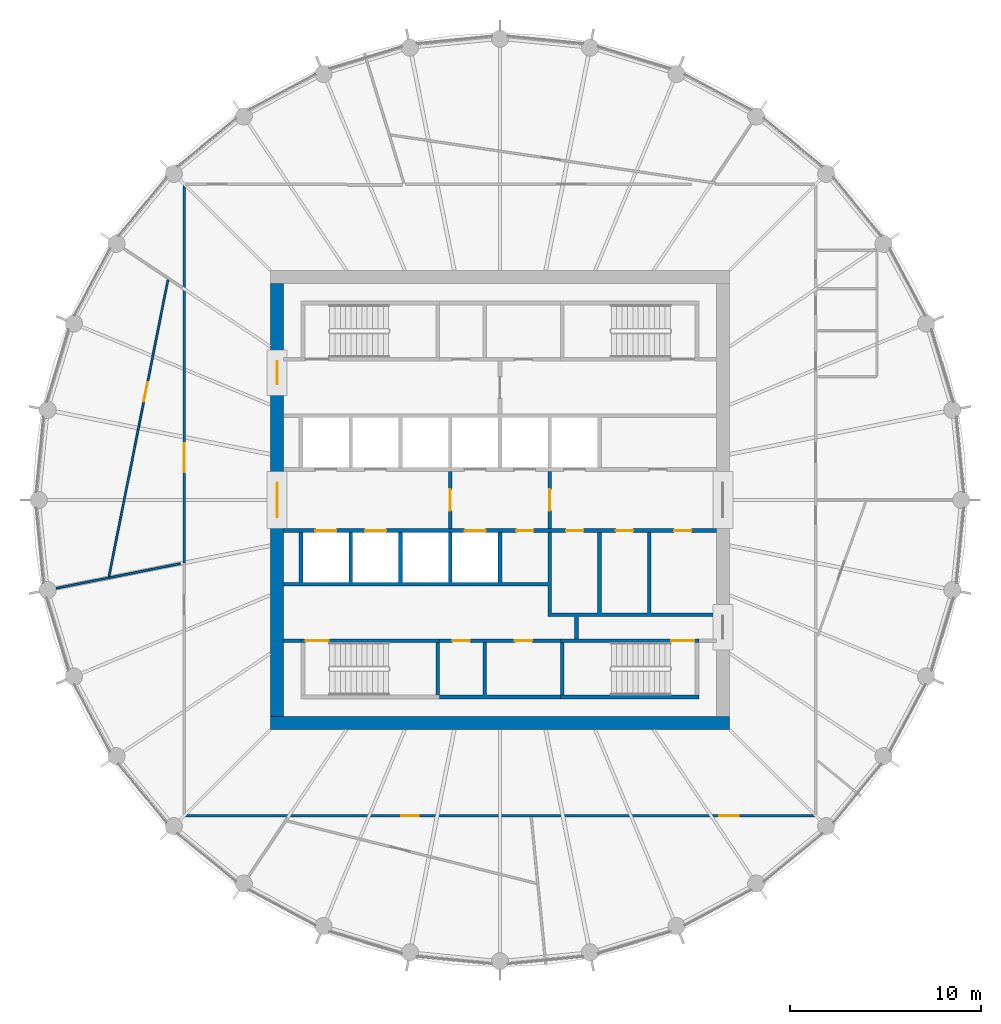
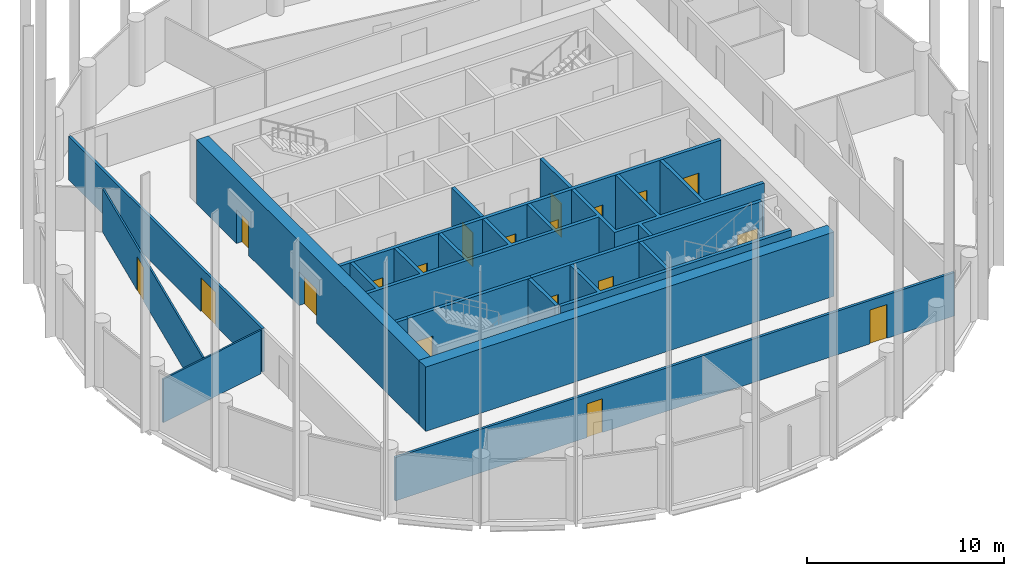
# One storey, part 4 of 7: 19 doors, 18 walls, 19 openings.
"""IFC4 building model written with IfcOpenShell, lengths in metres."""

from ifc_helpers import new_model, si_unit, direction, frame, frame_2d, origin, place, context, subcontext, project, spatial, polyline, rectangle, outline, extrude, material, layer, layer_set, type_object, element, fill, save


model = new_model("IFC4")

# Units and contexts
model_context = context("Model", 3, precision=1e-05, world=origin(), true_north=direction((0.0, 1.0)))
body_context = subcontext(model_context, "Body", "Model", "MODEL_VIEW")
ifc_project = project(units=[si_unit("LENGTHUNIT", "METRE"), si_unit("AREAUNIT", "SQUARE_METRE"), si_unit("VOLUMEUNIT", "CUBIC_METRE"), si_unit("PLANEANGLEUNIT", "RADIAN"), si_unit("MASSUNIT", "GRAM", prefix="KILO")], contexts=[model_context])

# Site, building, storey
site_placement = place(None, origin())
site = spatial("IfcSite", under=ifc_project, at=site_placement, CompositionType="ELEMENT")
building_placement = place(site_placement, origin())
building = spatial("IfcBuilding", under=site, at=building_placement, Name="Corvane Civic Tower", CompositionType="ELEMENT")
storey_placement = place(building_placement, frame((0.0, 0.0, 295.0)))
storey = spatial("IfcBuildingStorey", under=building, at=storey_placement, Name="L70", CompositionType="ELEMENT", Elevation=295.0)

# Wall
ifc_material_1 = material(Name="Concrete C40/50", Category="concrete")
ifc_layer_1 = layer(ifc_material_1, 0.699951171875)
ifc_layer_set_1 = layer_set([ifc_layer_1], Name="Concrete C40/50")
wall_type_1 = type_object("IfcWallType", Name="CORE WALL 700 C40/50", PredefinedType="SHEAR", material=ifc_layer_set_1)
wall_1_placement = place(storey_placement, frame((-12.0, -11.64990234375, 0.0), z_axis=(0.0, 0.0, 1.0), x_axis=(1.0, 0.0, 0.0)))
element("IfcWall", 1, at=wall_1_placement, inside=storey, type_object=wall_type_1, Name="W-L70-core-S", PredefinedType="SHEAR", context=body_context, shape_type="SweptSolid", body=[
    extrude(rectangle(XDim=24.0, YDim=0.699951171875, at=frame_2d((12.0, 0.0))), origin(), (0.0, 0.0, 1.0), 4.0),
])

# Wall, openings, doors
wall_2_placement = place(storey_placement, frame((-11.64990234375, -11.300048828125, 0.0), z_axis=(0.0, 0.0, 1.0), x_axis=(0.0, 1.0, 0.0)))
wall_2 = element("IfcWall", 2, at=wall_2_placement, inside=storey, type_object=wall_type_1, Name="W-L70-core-W", PredefinedType="SHEAR", context=body_context, shape_type="SweptSolid", body=[
    extrude(rectangle(XDim=22.60009765625, YDim=0.699951171875, at=frame_2d((11.300048828125, 0.0))), origin(), (0.0, 0.0, 1.0), 4.0),
])
opening_1_placement = place(wall_2_placement, frame((10.39990234375, 0.0, 0.0)))
opening_1 = element("IfcOpeningElement", 3, at=opening_1_placement, cuts=wall_2, Name="Opening L70.C17", PredefinedType="OPENING", context=body_context, shape_type="SweptSolid", body=[
    extrude(rectangle(XDim=1.800048828125, YDim=2.10009765625, at=frame_2d((0.89990234375, 1.050048828125))), frame((0.0, 0.35986328125, 0.0), z_axis=(0.0, -1.0, 0.0), x_axis=(1.0, 0.0, 0.0)), (0.0, 0.0, 1.0), 0.719970703125),
])
opening_2_placement = place(wall_2_placement, frame((17.35009765625, 0.0, 0.0)))
opening_2 = element("IfcOpeningElement", 4, at=opening_2_placement, cuts=wall_2, Name="Opening L70.C19", PredefinedType="OPENING", context=body_context, shape_type="SweptSolid", body=[
    extrude(rectangle(XDim=1.199951171875, YDim=2.10009765625, at=frame_2d((0.60009765625, 1.050048828125))), frame((0.0, 0.35986328125, 0.0), z_axis=(0.0, -1.0, 0.0), x_axis=(1.0, 0.0, 0.0)), (0.0, 0.0, 1.0), 0.719970703125),
])
ifc_material_2 = material(Name="Steel fire door leaf", Category="steel")
door_type_1 = type_object("IfcDoorType", Name="CR-DOOR-CORE-1800", OperationType="DOUBLE_DOOR_SINGLE_SWING", PredefinedType="DOOR", material=ifc_material_2)
door_1_placement = place(opening_1_placement, origin())
door_1 = element("IfcDoor", 5, at=door_1_placement, inside=storey, type_object=door_type_1, Name="L70 door", OperationType="DOUBLE_DOOR_SINGLE_SWING", OverallHeight=2.10009765625, OverallWidth=1.800048828125, PredefinedType="DOOR", context=body_context, shape_type="SweptSolid", body=[
    extrude(rectangle(XDim=1.800048828125, YDim=2.10009765625, at=frame_2d((0.89990234375, 1.050048828125))), frame((0.0, 0.02490234375, 0.0), z_axis=(0.0, -1.0, 0.0), x_axis=(1.0, 0.0, 0.0)), (0.0, 0.0, 1.0), 0.050048828125),
])
fill(opening_1, door_1)
door_2_placement = place(opening_2_placement, origin())
door_2 = element("IfcDoor", 6, at=door_2_placement, inside=storey, type_object=door_type_1, Name="L70 door", OperationType="DOUBLE_DOOR_SINGLE_SWING", OverallHeight=2.10009765625, OverallWidth=1.199951171875, PredefinedType="DOOR", context=body_context, shape_type="SweptSolid", body=[
    extrude(rectangle(XDim=1.199951171875, YDim=2.10009765625, at=frame_2d((0.60009765625, 1.050048828125))), frame((0.0, 0.02490234375, 0.0), z_axis=(0.0, -1.0, 0.0), x_axis=(1.0, 0.0, 0.0)), (0.0, 0.0, 1.0), 0.050048828125),
])
fill(opening_2, door_2)

ifc_material_3 = material(Name="Concrete C30/37", Category="concrete")
ifc_layer_2 = layer(ifc_material_3, 0.199951171875)
ifc_layer_set_2 = layer_set([ifc_layer_2], Name="Concrete C30/37")
wall_type_2 = type_object("IfcWallType", Name="CR-WALL-200", PredefinedType="PARTITIONING", material=ifc_layer_set_2)
wall_3_placement = place(storey_placement, frame((-3.14990234375, -7.35009765625, 0.0), z_axis=(0.0, 0.0, 1.0), x_axis=(1.0, 0.0, 0.0)))
wall_3 = element("IfcWall", 7, at=wall_3_placement, inside=storey, type_object=wall_type_2, Name="L70 core partition wall", PredefinedType="PARTITIONING", context=body_context, shape_type="SweptSolid", body=[
    extrude(rectangle(XDim=6.2998046875, YDim=0.199951171875, at=frame_2d((3.14990234375, 0.0))), origin(), (0.0, 0.0, 1.0), 3.699951171875),
])
opening_3_placement = place(wall_3_placement, frame((0.675048828125, 0.0, 0.0)))
opening_3 = element("IfcOpeningElement", 8, at=opening_3_placement, cuts=wall_3, Name="Opening L70.C08", PredefinedType="OPENING", context=body_context, shape_type="SweptSolid", body=[
    extrude(rectangle(XDim=0.89990234375, YDim=2.10009765625, at=frame_2d((0.449951171875, 1.050048828125))), frame((0.0, 0.10986328125, 0.0), z_axis=(0.0, -1.0, 0.0), x_axis=(1.0, 0.0, 0.0)), (0.0, 0.0, 1.0), 0.219970703125),
])
opening_4_placement = place(wall_3_placement, frame((3.925048828125, 0.0, 0.0)))
opening_4 = element("IfcOpeningElement", 9, at=opening_4_placement, cuts=wall_3, Name="Opening L70.C09", PredefinedType="OPENING", context=body_context, shape_type="SweptSolid", body=[
    extrude(rectangle(XDim=0.89990234375, YDim=2.10009765625, at=frame_2d((0.449951171875, 1.050048828125))), frame((0.0, 0.10986328125, 0.0), z_axis=(0.0, -1.0, 0.0), x_axis=(1.0, 0.0, 0.0)), (0.0, 0.0, 1.0), 0.219970703125),
])
ifc_material_4 = material(Name="Steel fire door leaf", Category="steel")
door_type_2 = type_object("IfcDoorType", Name="CR-DOOR-900", OperationType="SINGLE_SWING_LEFT", PredefinedType="DOOR", material=ifc_material_4)
door_3_placement = place(opening_3_placement, origin())
door_3 = element("IfcDoor", 10, at=door_3_placement, inside=storey, type_object=door_type_2, Name="L70 door", OperationType="SINGLE_SWING_LEFT", OverallHeight=2.10009765625, OverallWidth=0.89990234375, PredefinedType="DOOR", context=body_context, shape_type="SweptSolid", body=[
    extrude(rectangle(XDim=0.89990234375, YDim=2.10009765625, at=frame_2d((0.449951171875, 1.050048828125))), frame((0.0, 0.02490234375, 0.0), z_axis=(0.0, -1.0, 0.0), x_axis=(1.0, 0.0, 0.0)), (0.0, 0.0, 1.0), 0.050048828125),
])
fill(opening_3, door_3)
door_4_placement = place(opening_4_placement, origin())
door_4 = element("IfcDoor", 11, at=door_4_placement, inside=storey, type_object=door_type_2, Name="L70 door", OperationType="SINGLE_SWING_LEFT", OverallHeight=2.10009765625, OverallWidth=0.89990234375, PredefinedType="DOOR", context=body_context, shape_type="SweptSolid", body=[
    extrude(rectangle(XDim=0.89990234375, YDim=2.10009765625, at=frame_2d((0.449951171875, 1.050048828125))), frame((0.0, 0.02490234375, 0.0), z_axis=(0.0, -1.0, 0.0), x_axis=(1.0, 0.0, 0.0)), (0.0, 0.0, 1.0), 0.050048828125),
])
fill(opening_4, door_4)

wall_4_placement = place(storey_placement, frame((-11.300048828125, -1.60009765625, 0.0), z_axis=(0.0, 0.0, 1.0), x_axis=(1.0, 0.0, 0.0)))
wall_4 = element("IfcWall", 12, at=wall_4_placement, inside=storey, type_object=wall_type_2, Name="L70 lift shaft wall", PredefinedType="PARTITIONING", context=body_context, shape_type="SweptSolid", body=[
    extrude(rectangle(XDim=22.60009765625, YDim=0.199951171875, at=frame_2d((11.300048828125, 0.0))), origin(), (0.0, 0.0, 1.0), 3.699951171875),
])
opening_5_placement = place(wall_4_placement, frame((1.64990234375, 0.0, 0.0)))
opening_5 = element("IfcOpeningElement", 13, at=opening_5_placement, cuts=wall_4, Name="Opening LD", PredefinedType="OPENING", context=body_context, shape_type="SweptSolid", body=[
    extrude(rectangle(XDim=1.10009765625, YDim=2.10009765625, at=frame_2d((0.550048828125, 1.050048828125))), frame((0.0, 0.10986328125, 0.0), z_axis=(0.0, -1.0, 0.0), x_axis=(1.0, 0.0, 0.0)), (0.0, 0.0, 1.0), 0.219970703125),
])
opening_6_placement = place(wall_4_placement, frame((4.25, 0.0, 0.0)))
opening_6 = element("IfcOpeningElement", 14, at=opening_6_placement, cuts=wall_4, Name="Opening LD", PredefinedType="OPENING", context=body_context, shape_type="SweptSolid", body=[
    extrude(rectangle(XDim=1.10009765625, YDim=2.10009765625, at=frame_2d((0.550048828125, 1.050048828125))), frame((0.0, 0.10986328125, 0.0), z_axis=(0.0, -1.0, 0.0), x_axis=(1.0, 0.0, 0.0)), (0.0, 0.0, 1.0), 0.219970703125),
])
opening_7_placement = place(wall_4_placement, frame((9.449951171875, 0.0, 0.0)))
opening_7 = element("IfcOpeningElement", 15, at=opening_7_placement, cuts=wall_4, Name="Opening LD", PredefinedType="OPENING", context=body_context, shape_type="SweptSolid", body=[
    extrude(rectangle(XDim=1.10009765625, YDim=2.10009765625, at=frame_2d((0.550048828125, 1.050048828125))), frame((0.0, 0.10986328125, 0.0), z_axis=(0.0, -1.0, 0.0), x_axis=(1.0, 0.0, 0.0)), (0.0, 0.0, 1.0), 0.219970703125),
])
opening_8_placement = place(wall_4_placement, frame((12.14990234375, 0.0, 0.0)))
opening_8 = element("IfcOpeningElement", 16, at=opening_8_placement, cuts=wall_4, Name="Opening L70.C02", PredefinedType="OPENING", context=body_context, shape_type="SweptSolid", body=[
    extrude(rectangle(XDim=0.89990234375, YDim=2.10009765625, at=frame_2d((0.449951171875, 1.050048828125))), frame((0.0, 0.10986328125, 0.0), z_axis=(0.0, -1.0, 0.0), x_axis=(1.0, 0.0, 0.0)), (0.0, 0.0, 1.0), 0.219970703125),
])
opening_9_placement = place(wall_4_placement, frame((14.75, 0.0, 0.0)))
opening_9 = element("IfcOpeningElement", 17, at=opening_9_placement, cuts=wall_4, Name="Opening L70.C03", PredefinedType="OPENING", context=body_context, shape_type="SweptSolid", body=[
    extrude(rectangle(XDim=0.89990234375, YDim=2.10009765625, at=frame_2d((0.449951171875, 1.050048828125))), frame((0.0, 0.10986328125, 0.0), z_axis=(0.0, -1.0, 0.0), x_axis=(1.0, 0.0, 0.0)), (0.0, 0.0, 1.0), 0.219970703125),
])
opening_10_placement = place(wall_4_placement, frame((17.35009765625, 0.0, 0.0)))
opening_10 = element("IfcOpeningElement", 18, at=opening_10_placement, cuts=wall_4, Name="Opening L70.C04", PredefinedType="OPENING", context=body_context, shape_type="SweptSolid", body=[
    extrude(rectangle(XDim=0.89990234375, YDim=2.10009765625, at=frame_2d((0.449951171875, 1.050048828125))), frame((0.0, 0.10986328125, 0.0), z_axis=(0.0, -1.0, 0.0), x_axis=(1.0, 0.0, 0.0)), (0.0, 0.0, 1.0), 0.219970703125),
])
opening_11_placement = place(wall_4_placement, frame((20.39990234375, 0.0, 0.0)))
opening_11 = element("IfcOpeningElement", 19, at=opening_11_placement, cuts=wall_4, Name="Opening L70.C05", PredefinedType="OPENING", context=body_context, shape_type="SweptSolid", body=[
    extrude(rectangle(XDim=0.89990234375, YDim=2.10009765625, at=frame_2d((0.449951171875, 1.050048828125))), frame((0.0, 0.10986328125, 0.0), z_axis=(0.0, -1.0, 0.0), x_axis=(1.0, 0.0, 0.0)), (0.0, 0.0, 1.0), 0.219970703125),
])
door_5_placement = place(opening_8_placement, origin())
door_5 = element("IfcDoor", 20, at=door_5_placement, inside=storey, type_object=door_type_2, Name="L70 door", OperationType="SINGLE_SWING_LEFT", OverallHeight=2.10009765625, OverallWidth=0.89990234375, PredefinedType="DOOR", context=body_context, shape_type="SweptSolid", body=[
    extrude(rectangle(XDim=0.89990234375, YDim=2.10009765625, at=frame_2d((0.449951171875, 1.050048828125))), frame((0.0, 0.02490234375, 0.0), z_axis=(0.0, -1.0, 0.0), x_axis=(1.0, 0.0, 0.0)), (0.0, 0.0, 1.0), 0.050048828125),
])
fill(opening_8, door_5)
door_6_placement = place(opening_9_placement, origin())
door_6 = element("IfcDoor", 21, at=door_6_placement, inside=storey, type_object=door_type_2, Name="L70 door", OperationType="SINGLE_SWING_LEFT", OverallHeight=2.10009765625, OverallWidth=0.89990234375, PredefinedType="DOOR", context=body_context, shape_type="SweptSolid", body=[
    extrude(rectangle(XDim=0.89990234375, YDim=2.10009765625, at=frame_2d((0.449951171875, 1.050048828125))), frame((0.0, 0.02490234375, 0.0), z_axis=(0.0, -1.0, 0.0), x_axis=(1.0, 0.0, 0.0)), (0.0, 0.0, 1.0), 0.050048828125),
])
fill(opening_9, door_6)
door_7_placement = place(opening_10_placement, origin())
door_7 = element("IfcDoor", 22, at=door_7_placement, inside=storey, type_object=door_type_2, Name="L70 door", OperationType="SINGLE_SWING_LEFT", OverallHeight=2.10009765625, OverallWidth=0.89990234375, PredefinedType="DOOR", context=body_context, shape_type="SweptSolid", body=[
    extrude(rectangle(XDim=0.89990234375, YDim=2.10009765625, at=frame_2d((0.449951171875, 1.050048828125))), frame((0.0, 0.02490234375, 0.0), z_axis=(0.0, -1.0, 0.0), x_axis=(1.0, 0.0, 0.0)), (0.0, 0.0, 1.0), 0.050048828125),
])
fill(opening_10, door_7)
door_8_placement = place(opening_11_placement, origin())
door_8 = element("IfcDoor", 23, at=door_8_placement, inside=storey, type_object=door_type_2, Name="L70 door", OperationType="SINGLE_SWING_LEFT", OverallHeight=2.10009765625, OverallWidth=0.89990234375, PredefinedType="DOOR", context=body_context, shape_type="SweptSolid", body=[
    extrude(rectangle(XDim=0.89990234375, YDim=2.10009765625, at=frame_2d((0.449951171875, 1.050048828125))), frame((0.0, 0.02490234375, 0.0), z_axis=(0.0, -1.0, 0.0), x_axis=(1.0, 0.0, 0.0)), (0.0, 0.0, 1.0), 0.050048828125),
])
fill(opening_11, door_8)
ifc_material_5 = material(Name="Stainless steel 316 door leaves", Category="steel")
door_type_3 = type_object("IfcDoorType", Name="LD", OperationType="DOUBLE_DOOR_SLIDING", PredefinedType="DOOR", material=ifc_material_5)
door_9_placement = place(opening_5_placement, origin())
door_9 = element("IfcDoor", 24, at=door_9_placement, inside=storey, type_object=door_type_3, Name="L70 landing door", OperationType="DOUBLE_DOOR_SLIDING", OverallHeight=2.10009765625, OverallWidth=1.10009765625, PredefinedType="DOOR", context=body_context, shape_type="SweptSolid", body=[
    extrude(rectangle(XDim=1.10009765625, YDim=2.10009765625, at=frame_2d((0.550048828125, 1.050048828125))), frame((0.0, 0.02490234375, 0.0), z_axis=(0.0, -1.0, 0.0), x_axis=(1.0, 0.0, 0.0)), (0.0, 0.0, 1.0), 0.050048828125),
])
fill(opening_5, door_9)
door_10_placement = place(opening_6_placement, origin())
door_10 = element("IfcDoor", 25, at=door_10_placement, inside=storey, type_object=door_type_3, Name="L70 landing door", OperationType="DOUBLE_DOOR_SLIDING", OverallHeight=2.10009765625, OverallWidth=1.10009765625, PredefinedType="DOOR", context=body_context, shape_type="SweptSolid", body=[
    extrude(rectangle(XDim=1.10009765625, YDim=2.10009765625, at=frame_2d((0.550048828125, 1.050048828125))), frame((0.0, 0.02490234375, 0.0), z_axis=(0.0, -1.0, 0.0), x_axis=(1.0, 0.0, 0.0)), (0.0, 0.0, 1.0), 0.050048828125),
])
fill(opening_6, door_10)
door_11_placement = place(opening_7_placement, origin())
door_11 = element("IfcDoor", 26, at=door_11_placement, inside=storey, type_object=door_type_3, Name="L70 landing door", OperationType="DOUBLE_DOOR_SLIDING", OverallHeight=2.10009765625, OverallWidth=1.10009765625, PredefinedType="DOOR", context=body_context, shape_type="SweptSolid", body=[
    extrude(rectangle(XDim=1.10009765625, YDim=2.10009765625, at=frame_2d((0.550048828125, 1.050048828125))), frame((0.0, 0.02490234375, 0.0), z_axis=(0.0, -1.0, 0.0), x_axis=(1.0, 0.0, 0.0)), (0.0, 0.0, 1.0), 0.050048828125),
])
fill(opening_7, door_11)

# Wall, opening, door
wall_5_placement = place(storey_placement, frame((-2.60009765625, -1.5, 0.0), z_axis=(0.0, 0.0, 1.0), x_axis=(0.0, 1.0, 0.0)))
wall_5 = element("IfcWall", 27, at=wall_5_placement, inside=storey, type_object=wall_type_2, Name="L70 firefighting lobby wall", PredefinedType="PARTITIONING", context=body_context, shape_type="SweptSolid", body=[
    extrude(rectangle(XDim=3.0, YDim=0.199951171875, at=frame_2d((1.5, 0.0))), origin(), (0.0, 0.0, 1.0), 3.699951171875),
])
opening_12_placement = place(wall_5_placement, frame((0.949951171875, 0.0, 0.0)))
opening_12 = element("IfcOpeningElement", 28, at=opening_12_placement, cuts=wall_5, Name="Opening L70.C14", PredefinedType="OPENING", context=body_context, shape_type="SweptSolid", body=[
    extrude(rectangle(XDim=1.10009765625, YDim=2.10009765625, at=frame_2d((0.550048828125, 1.050048828125))), frame((0.0, 0.10986328125, 0.0), z_axis=(0.0, -1.0, 0.0), x_axis=(1.0, 0.0, 0.0)), (0.0, 0.0, 1.0), 0.219970703125),
])
ifc_material_6 = material(Name="Steel fire door leaf", Category="steel")
door_type_4 = type_object("IfcDoorType", Name="CR-DOOR-FFL-1100", OperationType="SINGLE_SWING_LEFT", PredefinedType="DOOR", material=ifc_material_6)
door_12_placement = place(opening_12_placement, origin())
door_12 = element("IfcDoor", 29, at=door_12_placement, inside=storey, type_object=door_type_4, Name="L70 lobby door", OperationType="SINGLE_SWING_LEFT", OverallHeight=2.10009765625, OverallWidth=1.10009765625, PredefinedType="DOOR", context=body_context, shape_type="SweptSolid", body=[
    extrude(rectangle(XDim=1.10009765625, YDim=2.10009765625, at=frame_2d((0.550048828125, 1.050048828125))), frame((0.0, 0.02490234375, 0.0), z_axis=(0.0, -1.0, 0.0), x_axis=(1.0, 0.0, 0.0)), (0.0, 0.0, 1.0), 0.050048828125),
])
fill(opening_12, door_12)

wall_6_placement = place(storey_placement, frame((2.60009765625, -1.5, 0.0), z_axis=(0.0, 0.0, 1.0), x_axis=(0.0, 1.0, 0.0)))
wall_6 = element("IfcWall", 30, at=wall_6_placement, inside=storey, type_object=wall_type_2, Name="L70 firefighting lobby wall", PredefinedType="PARTITIONING", context=body_context, shape_type="SweptSolid", body=[
    extrude(rectangle(XDim=3.0, YDim=0.199951171875, at=frame_2d((1.5, 0.0))), origin(), (0.0, 0.0, 1.0), 3.699951171875),
])
opening_13_placement = place(wall_6_placement, frame((0.949951171875, 0.0, 0.0)))
opening_13 = element("IfcOpeningElement", 31, at=opening_13_placement, cuts=wall_6, Name="Opening L70.C15", PredefinedType="OPENING", context=body_context, shape_type="SweptSolid", body=[
    extrude(rectangle(XDim=1.10009765625, YDim=2.10009765625, at=frame_2d((0.550048828125, 1.050048828125))), frame((0.0, 0.10986328125, 0.0), z_axis=(0.0, -1.0, 0.0), x_axis=(1.0, 0.0, 0.0)), (0.0, 0.0, 1.0), 0.219970703125),
])
door_13_placement = place(opening_13_placement, origin())
door_13 = element("IfcDoor", 32, at=door_13_placement, inside=storey, type_object=door_type_4, Name="L70 lobby door", OperationType="SINGLE_SWING_LEFT", OverallHeight=2.10009765625, OverallWidth=1.10009765625, PredefinedType="DOOR", context=body_context, shape_type="SweptSolid", body=[
    extrude(rectangle(XDim=1.10009765625, YDim=2.10009765625, at=frame_2d((0.550048828125, 1.050048828125))), frame((0.0, 0.02490234375, 0.0), z_axis=(0.0, -1.0, 0.0), x_axis=(1.0, 0.0, 0.0)), (0.0, 0.0, 1.0), 0.050048828125),
])
fill(opening_13, door_13)

# Walls
wall_7_placement = place(storey_placement, origin())
element("IfcWall", 33, at=wall_7_placement, inside=storey, type_object=wall_type_2, Name="L70 core partition wall", PredefinedType="PARTITIONING", context=body_context, shape_type="SweptSolid", body=[
    extrude(outline(polyline([(-10.39990234375, -7.449951171875), (-11.300048828125, -7.449951171875), (-11.300048828125, -7.25), (-10.39990234375, -7.25), (-10.39990234375, -7.449951171875)])), origin(), (0.0, 0.0, 1.0), 3.699951171875),
])
wall_8_placement = place(storey_placement, origin())
element("IfcWall", 34, at=wall_8_placement, inside=storey, type_object=wall_type_2, Name="L70 core partition wall", PredefinedType="PARTITIONING", context=body_context, shape_type="SweptSolid", body=[
    extrude(outline(polyline([(-0.699951171875, -7.449951171875), (-0.699951171875, -10.199951171875), (3.14990234375, -10.199951171875), (3.14990234375, -10.39990234375), (-3.14990234375, -10.39990234375), (-3.14990234375, -10.199951171875), (-0.89990234375, -10.199951171875), (-0.89990234375, -7.449951171875), (-0.699951171875, -7.449951171875)])), origin(), (0.0, 0.0, 1.0), 3.699951171875),
])
wall_9_placement = place(storey_placement, origin())
element("IfcWall", 35, at=wall_9_placement, inside=storey, type_object=wall_type_2, Name="L70 core partition wall", PredefinedType="PARTITIONING", context=body_context, shape_type="SweptSolid", body=[
    extrude(outline(polyline([(-10.5, -1.699951171875), (-10.300048828125, -1.699951171875), (-10.300048828125, -4.300048828125), (-7.89990234375, -4.300048828125), (-7.89990234375, -1.699951171875), (-7.699951171875, -1.699951171875), (-7.699951171875, -4.300048828125), (-5.300048828125, -4.300048828125), (-5.300048828125, -1.699951171875), (-5.10009765625, -1.699951171875), (-5.10009765625, -4.300048828125), (-2.699951171875, -4.300048828125), (-2.699951171875, -1.699951171875), (-2.5, -1.699951171875), (-2.5, -4.300048828125), (-0.10009765625, -4.300048828125), (-0.10009765625, -1.699951171875), (0.10009765625, -1.699951171875), (0.10009765625, -4.300048828125), (2.5, -4.300048828125), (2.5, -1.699951171875), (2.699951171875, -1.699951171875), (2.699951171875, -5.89990234375), (5.10009765625, -5.89990234375), (5.10009765625, -1.699951171875), (5.300048828125, -1.699951171875), (5.300048828125, -5.89990234375), (7.699951171875, -5.89990234375), (7.699951171875, -1.699951171875), (7.89990234375, -1.699951171875), (7.89990234375, -5.89990234375), (11.300048828125, -5.89990234375), (11.300048828125, -6.10009765625), (4.10009765625, -6.10009765625), (4.10009765625, -7.25), (3.89990234375, -7.25), (3.89990234375, -6.10009765625), (2.5, -6.10009765625), (2.5, -4.5), (-11.300048828125, -4.5), (-11.300048828125, -4.300048828125), (-10.5, -4.300048828125), (-10.5, -1.699951171875)])), origin(), (0.0, 0.0, 1.0), 3.699951171875),
])
ifc_material_7 = material(Name="Plasterboard")
ifc_layer_3 = layer(ifc_material_7, 0.10009765625)
ifc_layer_set_3 = layer_set([ifc_layer_3], Name="Plasterboard")
wall_type_3 = type_object("IfcWallType", Name="Partition 100 plasterboard on studs", PredefinedType="PARTITIONING", material=ifc_layer_set_3)
wall_10_placement = place(storey_placement, frame((-23.185791015625, -4.61181640625, 0.0), z_axis=(0.0, 0.0, 1.0), x_axis=(0.980788963847, 0.195071803181, 0.0)))
element("IfcWall", 36, at=wall_10_placement, inside=storey, type_object=wall_type_3, Name="Partition L70.010", PredefinedType="PARTITIONING", context=body_context, shape_type="SweptSolid", body=[
    extrude(rectangle(XDim=6.609375, YDim=0.10009765625, at=frame_2d((3.3046875, 0.0))), origin(), (0.0, 0.0, 1.0), 2.699951171875),
])

# Wall, opening, door
wall_11_placement = place(storey_placement, frame((-20.430908203125, -3.993408203125, 0.0), z_axis=(0.0, 0.0, 1.0), x_axis=(0.195094157793, 0.980784517412, 0.0)))
wall_11 = element("IfcWall", 37, at=wall_11_placement, inside=storey, type_object=wall_type_3, Name="Partition L70.011", PredefinedType="PARTITIONING", context=body_context, shape_type="SweptSolid", body=[
    extrude(rectangle(XDim=15.80517578125, YDim=0.10009765625, at=frame_2d((7.902587890625, 0.0))), origin(), (0.0, 0.0, 1.0), 2.699951171875),
])
opening_14_placement = place(wall_11_placement, frame((9.340576171875, 0.0, 0.0)))
opening_14 = element("IfcOpeningElement", 38, at=opening_14_placement, cuts=wall_11, Name="Opening L70.011", PredefinedType="OPENING", context=body_context, shape_type="SweptSolid", body=[
    extrude(rectangle(XDim=1.0, YDim=2.10009765625, at=frame_2d((0.5, 1.050048828125))), frame((0.0, 0.06005859375, 0.0), z_axis=(0.0, -1.0, 0.0), x_axis=(1.0, 0.0, 0.0)), (0.0, 0.0, 1.0), 0.1201171875),
])
ifc_material_8 = material(Name="Timber", Category="wood")
door_type_5 = type_object("IfcDoorType", Name="Single door 1000", OperationType="NOTDEFINED", PredefinedType="DOOR", material=ifc_material_8)
door_14_placement = place(opening_14_placement, origin())
door_14 = element("IfcDoor", 39, at=door_14_placement, inside=storey, type_object=door_type_5, Name="Door L70.011", OperationType="SINGLE_SWING_LEFT", OverallHeight=2.10009765625, OverallWidth=1.0, PredefinedType="DOOR", context=body_context, shape_type="SweptSolid", body=[
    extrude(rectangle(XDim=1.0, YDim=2.10009765625, at=frame_2d((0.5, 1.050048828125))), frame((0.0, 0.02490234375, 0.0), z_axis=(0.0, -1.0, 0.0), x_axis=(1.0, 0.0, 0.0)), (0.0, 0.0, 1.0), 0.050048828125),
])
fill(opening_14, door_14)

ifc_material_9 = material(Name="Concrete C50/60", Category="concrete")
ifc_layer_4 = layer(ifc_material_9, 0.199951171875)
ifc_layer_set_4 = layer_set([ifc_layer_4], Name="Concrete C50/60")
wall_type_4 = type_object("IfcWallType", Name="ST-WALL-200", PredefinedType="SHEAR", material=ifc_layer_set_4)
wall_12_placement = place(storey_placement, frame((-10.39990234375, -7.35009765625, 0.0), z_axis=(0.0, 0.0, 1.0), x_axis=(1.0, 0.0, 0.0)))
wall_12 = element("IfcWall", 40, at=wall_12_placement, inside=storey, type_object=wall_type_4, Name="L70 stair enclosure wall", PredefinedType="SHEAR", context=body_context, shape_type="SweptSolid", body=[
    extrude(rectangle(XDim=7.25, YDim=0.199951171875, at=frame_2d((3.625, 0.0))), origin(), (0.0, 0.0, 1.0), 3.699951171875),
])
opening_15_placement = place(wall_12_placement, frame((0.25, 0.0, 0.0)))
opening_15 = element("IfcOpeningElement", 41, at=opening_15_placement, cuts=wall_12, Name="Opening L70.C13", PredefinedType="OPENING", context=body_context, shape_type="SweptSolid", body=[
    extrude(rectangle(XDim=1.199951171875, YDim=2.10009765625, at=frame_2d((0.60009765625, 1.050048828125))), frame((0.0, 0.10986328125, 0.0), z_axis=(0.0, -1.0, 0.0), x_axis=(1.0, 0.0, 0.0)), (0.0, 0.0, 1.0), 0.219970703125),
])
ifc_material_10 = material(Name="Steel fire door leaf", Category="steel")
door_type_6 = type_object("IfcDoorType", Name="ST-DOOR-1200", OperationType="SINGLE_SWING_RIGHT", PredefinedType="DOOR", material=ifc_material_10)
door_15_placement = place(opening_15_placement, origin())
door_15 = element("IfcDoor", 42, at=door_15_placement, inside=storey, type_object=door_type_6, Name="L70 stair door", OperationType="SINGLE_SWING_RIGHT", OverallHeight=2.10009765625, OverallWidth=1.199951171875, PredefinedType="DOOR", context=body_context, shape_type="SweptSolid", body=[
    extrude(rectangle(XDim=1.199951171875, YDim=2.10009765625, at=frame_2d((0.60009765625, 1.050048828125))), frame((0.0, 0.02490234375, 0.0), z_axis=(0.0, -1.0, 0.0), x_axis=(1.0, 0.0, 0.0)), (0.0, 0.0, 1.0), 0.050048828125),
])
fill(opening_15, door_15)

wall_13_placement = place(storey_placement, frame((3.14990234375, -7.35009765625, 0.0), z_axis=(0.0, 0.0, 1.0), x_axis=(1.0, 0.0, 0.0)))
wall_13 = element("IfcWall", 43, at=wall_13_placement, inside=storey, type_object=wall_type_4, Name="L70 stair enclosure wall", PredefinedType="SHEAR", context=body_context, shape_type="SweptSolid", body=[
    extrude(rectangle(XDim=7.25, YDim=0.199951171875, at=frame_2d((3.625, 0.0))), origin(), (0.0, 0.0, 1.0), 3.699951171875),
])
opening_16_placement = place(wall_13_placement, frame((5.800048828125, 0.0, 0.0)))
opening_16 = element("IfcOpeningElement", 44, at=opening_16_placement, cuts=wall_13, Name="Opening L70.C12", PredefinedType="OPENING", context=body_context, shape_type="SweptSolid", body=[
    extrude(rectangle(XDim=1.199951171875, YDim=2.10009765625, at=frame_2d((0.60009765625, 1.050048828125))), frame((0.0, 0.10986328125, 0.0), z_axis=(0.0, -1.0, 0.0), x_axis=(1.0, 0.0, 0.0)), (0.0, 0.0, 1.0), 0.219970703125),
])
door_16_placement = place(opening_16_placement, origin())
door_16 = element("IfcDoor", 45, at=door_16_placement, inside=storey, type_object=door_type_6, Name="L70 stair door", OperationType="SINGLE_SWING_RIGHT", OverallHeight=2.10009765625, OverallWidth=1.199951171875, PredefinedType="DOOR", context=body_context, shape_type="SweptSolid", body=[
    extrude(rectangle(XDim=1.199951171875, YDim=2.10009765625, at=frame_2d((0.60009765625, 1.050048828125))), frame((0.0, 0.02490234375, 0.0), z_axis=(0.0, -1.0, 0.0), x_axis=(1.0, 0.0, 0.0)), (0.0, 0.0, 1.0), 0.050048828125),
])
fill(opening_16, door_16)

# Walls
wall_14_placement = place(storey_placement, origin())
element("IfcWall", 46, at=wall_14_placement, inside=storey, type_object=wall_type_4, Name="L70 stair enclosure wall", PredefinedType="SHEAR", context=body_context, shape_type="SweptSolid", body=[
    extrude(outline(polyline([(10.39990234375, -10.39990234375), (3.14990234375, -10.39990234375), (3.14990234375, -10.199951171875), (10.39990234375, -10.199951171875), (10.39990234375, -10.39990234375)])), origin(), (0.0, 0.0, 1.0), 3.699951171875),
])
wall_15_placement = place(storey_placement, origin())
element("IfcWall", 47, at=wall_15_placement, inside=storey, type_object=wall_type_4, Name="L70 stair enclosure wall", PredefinedType="SHEAR", context=body_context, shape_type="SweptSolid", body=[
    extrude(outline(polyline([(-3.14990234375, -7.449951171875), (-3.14990234375, -10.199951171875), (-3.35009765625, -10.199951171875), (-3.35009765625, -7.449951171875), (-3.14990234375, -7.449951171875)])), origin(), (0.0, 0.0, 1.0), 3.699951171875),
])
wall_16_placement = place(storey_placement, origin())
element("IfcWall", 48, at=wall_16_placement, inside=storey, type_object=wall_type_4, Name="L70 stair enclosure wall", PredefinedType="SHEAR", context=body_context, shape_type="SweptSolid", body=[
    extrude(outline(polyline([(3.35009765625, -7.449951171875), (3.35009765625, -10.199951171875), (3.14990234375, -10.199951171875), (3.14990234375, -7.449951171875), (3.35009765625, -7.449951171875)])), origin(), (0.0, 0.0, 1.0), 3.699951171875),
])

# Wall, openings, doors
ifc_material_11 = material(Name="Plasterboard")
ifc_layer_5 = layer(ifc_material_11, 0.14990234375)
ifc_layer_set_5 = layer_set([ifc_layer_5], Name="Plasterboard")
wall_type_5 = type_object("IfcWallType", Name="Tenancy wall 150 EI 60", PredefinedType="PARTITIONING", material=ifc_layer_set_5)
wall_17_placement = place(storey_placement, frame((-16.425048828125, -16.5, 0.0), z_axis=(0.0, 0.0, 1.0), x_axis=(1.0, 0.0, 0.0)))
wall_17 = element("IfcWall", 49, at=wall_17_placement, inside=storey, type_object=wall_type_5, Name="Partition L70.004", PredefinedType="PARTITIONING", context=body_context, shape_type="SweptSolid", body=[
    extrude(rectangle(XDim=32.85009765625, YDim=0.14990234375, at=frame_2d((16.425048828125, 0.0))), origin(), (0.0, 0.0, 1.0), 2.699951171875),
])
opening_17_placement = place(wall_17_placement, frame((27.891845703125, 0.0, 0.0)))
opening_17 = element("IfcOpeningElement", 50, at=opening_17_placement, cuts=wall_17, Name="Opening L70.007", PredefinedType="OPENING", context=body_context, shape_type="SweptSolid", body=[
    extrude(rectangle(XDim=1.0, YDim=2.10009765625, at=frame_2d((0.5, 1.050048828125))), frame((0.0, 0.0849609375, 0.0), z_axis=(0.0, -1.0, 0.0), x_axis=(1.0, 0.0, 0.0)), (0.0, 0.0, 1.0), 0.169921875),
])
opening_18_placement = place(wall_17_placement, frame((11.274169921875, 0.0, 0.0)))
opening_18 = element("IfcOpeningElement", 51, at=opening_18_placement, cuts=wall_17, Name="Opening L70.009", PredefinedType="OPENING", context=body_context, shape_type="SweptSolid", body=[
    extrude(rectangle(XDim=0.89990234375, YDim=2.10009765625, at=frame_2d((0.449951171875, 1.050048828125))), frame((0.0, 0.0849609375, 0.0), z_axis=(0.0, -1.0, 0.0), x_axis=(1.0, 0.0, 0.0)), (0.0, 0.0, 1.0), 0.169921875),
])
ifc_material_12 = material(Name="Steel and timber", Category="steel")
door_type_7 = type_object("IfcDoorType", Name="Fire door FD30S 1000", OperationType="NOTDEFINED", PredefinedType="DOOR", material=ifc_material_12)
door_17_placement = place(opening_17_placement, frame((1.0, 0.0, 0.0), z_axis=(0.0, 0.0, 1.0), x_axis=(-1.0, 0.0, 0.0)))
door_17 = element("IfcDoor", 52, at=door_17_placement, inside=storey, type_object=door_type_7, Name="Door L70.007", OperationType="SINGLE_SWING_RIGHT", OverallHeight=2.10009765625, OverallWidth=1.0, PredefinedType="DOOR", context=body_context, shape_type="SweptSolid", body=[
    extrude(rectangle(XDim=1.0, YDim=2.10009765625, at=frame_2d((0.5, 1.050048828125))), frame((0.0, 0.02490234375, 0.0), z_axis=(0.0, -1.0, 0.0), x_axis=(1.0, 0.0, 0.0)), (0.0, 0.0, 1.0), 0.050048828125),
])
fill(opening_17, door_17)
ifc_material_13 = material(Name="Steel and timber", Category="steel")
door_type_8 = type_object("IfcDoorType", Name="Fire door FD30S 900", OperationType="NOTDEFINED", PredefinedType="DOOR", material=ifc_material_13)
door_18_placement = place(opening_18_placement, frame((0.89990234375, 0.0, 0.0), z_axis=(0.0, 0.0, 1.0), x_axis=(-1.0, 0.0, 0.0)))
door_18 = element("IfcDoor", 53, at=door_18_placement, inside=storey, type_object=door_type_8, Name="Door L70.009", OperationType="SINGLE_SWING_LEFT", OverallHeight=2.10009765625, OverallWidth=0.89990234375, PredefinedType="DOOR", context=body_context, shape_type="SweptSolid", body=[
    extrude(rectangle(XDim=0.89990234375, YDim=2.10009765625, at=frame_2d((0.449951171875, 1.050048828125))), frame((0.0, 0.02490234375, 0.0), z_axis=(0.0, -1.0, 0.0), x_axis=(1.0, 0.0, 0.0)), (0.0, 0.0, 1.0), 0.050048828125),
])
fill(opening_18, door_18)

# Wall, opening, door
wall_18_placement = place(storey_placement, frame((-16.5, -3.281982421875, 0.0), z_axis=(0.0, 0.0, 1.0), x_axis=(0.0, 1.0, 0.0)))
wall_18 = element("IfcWall", 54, at=wall_18_placement, inside=storey, type_object=wall_type_5, Name="Partition L70.012", PredefinedType="PARTITIONING", context=body_context, shape_type="SweptSolid", body=[
    extrude(rectangle(XDim=19.70703125, YDim=0.14990234375, at=frame_2d((9.853515625, 0.0))), origin(), (0.0, 0.0, 1.0), 2.699951171875),
])
opening_19_placement = place(wall_18_placement, frame((4.7412109375, 0.0, 0.0)))
opening_19 = element("IfcOpeningElement", 55, at=opening_19_placement, cuts=wall_18, Name="Opening L70.012", PredefinedType="OPENING", context=body_context, shape_type="SweptSolid", body=[
    extrude(rectangle(XDim=1.5, YDim=2.10009765625, at=frame_2d((0.75, 1.050048828125))), frame((0.0, 0.0849609375, 0.0), z_axis=(0.0, -1.0, 0.0), x_axis=(1.0, 0.0, 0.0)), (0.0, 0.0, 1.0), 0.169921875),
])
ifc_material_14 = material(Name="Steel and timber", Category="steel")
door_type_9 = type_object("IfcDoorType", Name="Fire door FD60 double 1500", OperationType="NOTDEFINED", PredefinedType="DOOR", material=ifc_material_14)
door_19_placement = place(opening_19_placement, origin())
door_19 = element("IfcDoor", 56, at=door_19_placement, inside=storey, type_object=door_type_9, Name="Door L70.012", OperationType="DOUBLE_DOOR_SINGLE_SWING", OverallHeight=2.10009765625, OverallWidth=1.5, PredefinedType="DOOR", context=body_context, shape_type="SweptSolid", body=[
    extrude(rectangle(XDim=1.5, YDim=2.10009765625, at=frame_2d((0.75, 1.050048828125))), frame((0.0, 0.02490234375, 0.0), z_axis=(0.0, -1.0, 0.0), x_axis=(1.0, 0.0, 0.0)), (0.0, 0.0, 1.0), 0.050048828125),
])
fill(opening_19, door_19)

save(model, "model.ifc")
